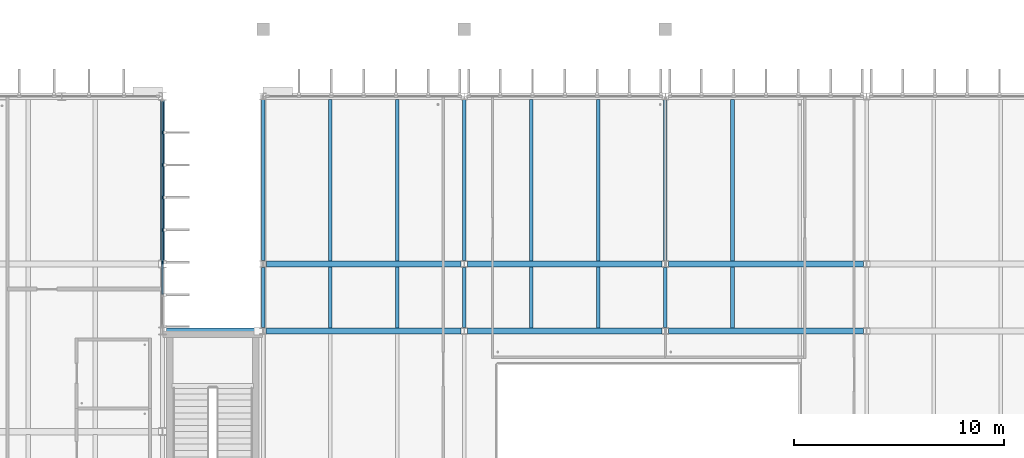
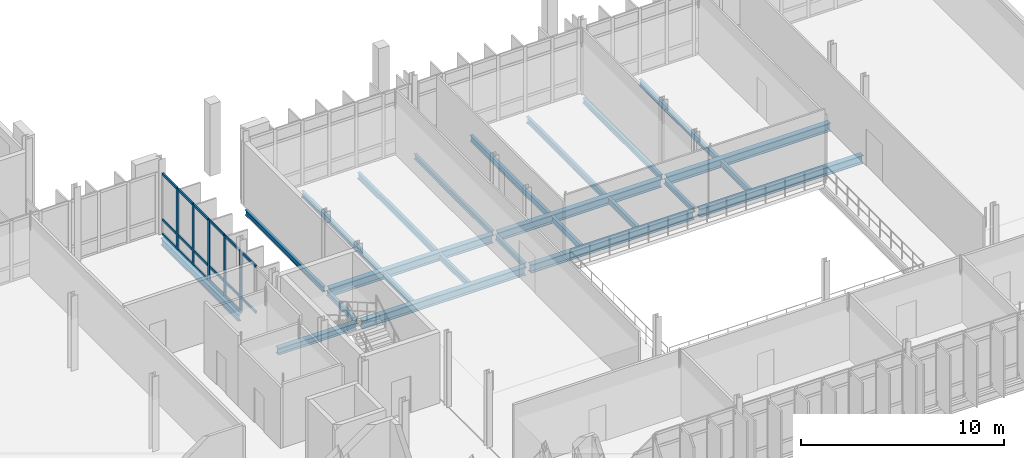
# One storey, part 23 of 110: 24 beams, 22 members, 1 element without a shape of its own.
"""IFC4 building model written with IfcOpenShell, lengths in metres."""

from ifc_helpers import new_model, si_unit, direction, frame, origin, origin_2d, place, context, subcontext, project, spatial, rectangle, i_section, extrude, material, material_profile, profile_set, type_object, element, aggregate, save


model = new_model("IFC4")

# Units and contexts
model_context = context("Model", 3, precision=1e-05, world=origin(), true_north=direction((0.0, 1.0)))
body_context = subcontext(model_context, "Body", "Model", "MODEL_VIEW")
ifc_project = project(units=[si_unit("LENGTHUNIT", "METRE"), si_unit("AREAUNIT", "SQUARE_METRE"), si_unit("VOLUMEUNIT", "CUBIC_METRE"), si_unit("PLANEANGLEUNIT", "RADIAN"), si_unit("MASSUNIT", "GRAM", prefix="KILO")], contexts=[model_context])

# Site, building, storey
site_placement = place(None, origin())
site = spatial("IfcSite", under=ifc_project, at=site_placement, CompositionType="ELEMENT")
building_placement = place(site_placement, origin())
building = spatial("IfcBuilding", under=site, at=building_placement, Name="Dunescarp Central Library", CompositionType="ELEMENT")
storey_placement = place(building_placement, frame((0.0, 0.0, 9.60009765625)))
storey = spatial("IfcBuildingStorey", under=building, at=storey_placement, Name="L02", CompositionType="ELEMENT", Elevation=9.60009765625)

# Curtain wall, members
ifc_material_1 = material(Name="Marine-grade anodised aluminium 6063-T6", Category="aluminium")
curtain_wall_type = type_object("IfcCurtainWallType", Name="ARC-CW-STICK", PredefinedType="NOTDEFINED", material=ifc_material_1)
curtain_wall_placement = place(storey_placement, origin())
curtain_wall = element("IfcCurtainWall", 1, at=curtain_wall_placement, inside=storey, type_object=curtain_wall_type, Name="L02 curtain wall CW-V1-017", PredefinedType="NOTDEFINED")
ifc_material_profile_1 = material_profile(ifc_material_1, rectangle(XDim=0.080078125, YDim=0.179931640625, at=origin_2d()), Name="AL 80x180")
ifc_profile_set_1 = profile_set([ifc_material_profile_1], Name="Marine-grade anodised aluminium 6063-T6")
member_type_1 = type_object("IfcMemberType", Name="ARC-CWM-180", PredefinedType="MULLION", material=ifc_profile_set_1)
member_1_placement = place(storey_placement, frame((33.60009765625, 35.074951171875, 0.0), z_axis=(0.0, 0.0, 1.0), x_axis=(1.0, 0.0, 0.0)))
member_1 = element("IfcMember", 2, at=member_1_placement, type_object=member_type_1, Name="CW-V1-017 mullion 2", PredefinedType="MULLION", context=body_context, shape_type="SweptSolid", body=[
    extrude(rectangle(XDim=0.080078125, YDim=0.179931640625, at=origin_2d()), origin(), (0.0, 0.0, 1.0), 3.684814453125),
])
member_2_placement = place(storey_placement, frame((33.60009765625, 33.52490234375, 0.0), z_axis=(0.0, 0.0, 1.0), x_axis=(1.0, 0.0, 0.0)))
member_2 = element("IfcMember", 3, at=member_2_placement, type_object=member_type_1, Name="CW-V1-017 mullion 3", PredefinedType="MULLION", context=body_context, shape_type="SweptSolid", body=[
    extrude(rectangle(XDim=0.080078125, YDim=0.179931640625, at=origin_2d()), origin(), (0.0, 0.0, 1.0), 3.684814453125),
])
member_3_placement = place(storey_placement, frame((33.60009765625, 31.97509765625, 0.0), z_axis=(0.0, 0.0, 1.0), x_axis=(1.0, 0.0, 0.0)))
member_3 = element("IfcMember", 4, at=member_3_placement, type_object=member_type_1, Name="CW-V1-017 mullion 4", PredefinedType="MULLION", context=body_context, shape_type="SweptSolid", body=[
    extrude(rectangle(XDim=0.080078125, YDim=0.179931640625, at=origin_2d()), origin(), (0.0, 0.0, 1.0), 3.684814453125),
])
member_4_placement = place(storey_placement, frame((33.60009765625, 30.425048828125, 0.0), z_axis=(0.0, 0.0, 1.0), x_axis=(1.0, 0.0, 0.0)))
member_4 = element("IfcMember", 5, at=member_4_placement, type_object=member_type_1, Name="CW-V1-017 mullion 5", PredefinedType="MULLION", context=body_context, shape_type="SweptSolid", body=[
    extrude(rectangle(XDim=0.080078125, YDim=0.179931640625, at=origin_2d()), origin(), (0.0, 0.0, 1.0), 3.684814453125),
])
member_5_placement = place(storey_placement, frame((33.60009765625, 28.875, 0.0), z_axis=(0.0, 0.0, 1.0), x_axis=(1.0, 0.0, 0.0)))
member_5 = element("IfcMember", 6, at=member_5_placement, type_object=member_type_1, Name="CW-V1-017 mullion 6", PredefinedType="MULLION", context=body_context, shape_type="SweptSolid", body=[
    extrude(rectangle(XDim=0.080078125, YDim=0.179931640625, at=origin_2d()), origin(), (0.0, 0.0, 1.0), 3.684814453125),
])
ifc_material_profile_2 = material_profile(ifc_material_1, rectangle(XDim=0.080078125, YDim=0.14990234375, at=origin_2d()), Name="AL 80x150")
ifc_profile_set_2 = profile_set([ifc_material_profile_2], Name="Marine-grade anodised aluminium 6063-T6")
member_type_2 = type_object("IfcMemberType", Name="ARC-CWT-150", PredefinedType="USERDEFINED", material=ifc_profile_set_2)
member_6_placement = place(storey_placement, frame((33.60009765625, 36.544921875, 0.039794921875), z_axis=(0.0, -1.0, 0.0), x_axis=(1.0, 0.0, 0.0)))
member_6 = element("IfcMember", 7, at=member_6_placement, type_object=member_type_2, Name="CW-V1-017 transom 1.1", ObjectType="TRANSOM", PredefinedType="USERDEFINED", context=body_context, shape_type="SweptSolid", body=[
    extrude(rectangle(XDim=0.080078125, YDim=0.14990234375, at=origin_2d()), origin(), (0.0, 0.0, 1.0), 1.429931640625),
])
member_7_placement = place(storey_placement, frame((33.60009765625, 36.544921875, 0.89990234375), z_axis=(0.0, -1.0, 0.0), x_axis=(1.0, 0.0, 0.0)))
member_7 = element("IfcMember", 8, at=member_7_placement, type_object=member_type_2, Name="CW-V1-017 transom 1.2", ObjectType="TRANSOM", PredefinedType="USERDEFINED", context=body_context, shape_type="SweptSolid", body=[
    extrude(rectangle(XDim=0.080078125, YDim=0.14990234375, at=origin_2d()), origin(), (0.0, 0.0, 1.0), 1.429931640625),
])
member_8_placement = place(storey_placement, frame((33.60009765625, 36.544921875, 3.64501953125), z_axis=(0.0, -1.0, 0.0), x_axis=(1.0, 0.0, 0.0)))
member_8 = element("IfcMember", 9, at=member_8_placement, type_object=member_type_2, Name="CW-V1-017 transom 1.3", ObjectType="TRANSOM", PredefinedType="USERDEFINED", context=body_context, shape_type="SweptSolid", body=[
    extrude(rectangle(XDim=0.080078125, YDim=0.14990234375, at=origin_2d()), origin(), (0.0, 0.0, 1.0), 1.429931640625),
])
member_9_placement = place(storey_placement, frame((33.60009765625, 35.034912109375, 0.039794921875), z_axis=(0.0, -1.0, 0.0), x_axis=(1.0, 0.0, 0.0)))
member_9 = element("IfcMember", 10, at=member_9_placement, type_object=member_type_2, Name="CW-V1-017 transom 2.1", ObjectType="TRANSOM", PredefinedType="USERDEFINED", context=body_context, shape_type="SweptSolid", body=[
    extrude(rectangle(XDim=0.080078125, YDim=0.14990234375, at=origin_2d()), origin(), (0.0, 0.0, 1.0), 1.469970703125),
])
member_10_placement = place(storey_placement, frame((33.60009765625, 35.034912109375, 0.89990234375), z_axis=(0.0, -1.0, 0.0), x_axis=(1.0, 0.0, 0.0)))
member_10 = element("IfcMember", 11, at=member_10_placement, type_object=member_type_2, Name="CW-V1-017 transom 2.2", ObjectType="TRANSOM", PredefinedType="USERDEFINED", context=body_context, shape_type="SweptSolid", body=[
    extrude(rectangle(XDim=0.080078125, YDim=0.14990234375, at=origin_2d()), origin(), (0.0, 0.0, 1.0), 1.469970703125),
])
member_11_placement = place(storey_placement, frame((33.60009765625, 35.034912109375, 3.64501953125), z_axis=(0.0, -1.0, 0.0), x_axis=(1.0, 0.0, 0.0)))
member_11 = element("IfcMember", 12, at=member_11_placement, type_object=member_type_2, Name="CW-V1-017 transom 2.3", ObjectType="TRANSOM", PredefinedType="USERDEFINED", context=body_context, shape_type="SweptSolid", body=[
    extrude(rectangle(XDim=0.080078125, YDim=0.14990234375, at=origin_2d()), origin(), (0.0, 0.0, 1.0), 1.469970703125),
])
member_12_placement = place(storey_placement, frame((33.60009765625, 33.485107421875, 0.039794921875), z_axis=(0.0, -1.0, 0.0), x_axis=(1.0, 0.0, 0.0)))
member_12 = element("IfcMember", 13, at=member_12_placement, type_object=member_type_2, Name="CW-V1-017 transom 3.1", ObjectType="TRANSOM", PredefinedType="USERDEFINED", context=body_context, shape_type="SweptSolid", body=[
    extrude(rectangle(XDim=0.080078125, YDim=0.14990234375, at=origin_2d()), origin(), (0.0, 0.0, 1.0), 1.47021484375),
])
member_13_placement = place(storey_placement, frame((33.60009765625, 33.485107421875, 0.89990234375), z_axis=(0.0, -1.0, 0.0), x_axis=(1.0, 0.0, 0.0)))
member_13 = element("IfcMember", 14, at=member_13_placement, type_object=member_type_2, Name="CW-V1-017 transom 3.2", ObjectType="TRANSOM", PredefinedType="USERDEFINED", context=body_context, shape_type="SweptSolid", body=[
    extrude(rectangle(XDim=0.080078125, YDim=0.14990234375, at=origin_2d()), origin(), (0.0, 0.0, 1.0), 1.47021484375),
])
member_14_placement = place(storey_placement, frame((33.60009765625, 33.485107421875, 3.64501953125), z_axis=(0.0, -1.0, 0.0), x_axis=(1.0, 0.0, 0.0)))
member_14 = element("IfcMember", 15, at=member_14_placement, type_object=member_type_2, Name="CW-V1-017 transom 3.3", ObjectType="TRANSOM", PredefinedType="USERDEFINED", context=body_context, shape_type="SweptSolid", body=[
    extrude(rectangle(XDim=0.080078125, YDim=0.14990234375, at=origin_2d()), origin(), (0.0, 0.0, 1.0), 1.47021484375),
])
member_15_placement = place(storey_placement, frame((33.60009765625, 31.93505859375, 0.039794921875), z_axis=(0.0, -1.0, 0.0), x_axis=(1.0, 0.0, 0.0)))
member_15 = element("IfcMember", 16, at=member_15_placement, type_object=member_type_2, Name="CW-V1-017 transom 4.1", ObjectType="TRANSOM", PredefinedType="USERDEFINED", context=body_context, shape_type="SweptSolid", body=[
    extrude(rectangle(XDim=0.080078125, YDim=0.14990234375, at=origin_2d()), origin(), (0.0, 0.0, 1.0), 1.469970703125),
])
member_16_placement = place(storey_placement, frame((33.60009765625, 31.93505859375, 0.89990234375), z_axis=(0.0, -1.0, 0.0), x_axis=(1.0, 0.0, 0.0)))
member_16 = element("IfcMember", 17, at=member_16_placement, type_object=member_type_2, Name="CW-V1-017 transom 4.2", ObjectType="TRANSOM", PredefinedType="USERDEFINED", context=body_context, shape_type="SweptSolid", body=[
    extrude(rectangle(XDim=0.080078125, YDim=0.14990234375, at=origin_2d()), origin(), (0.0, 0.0, 1.0), 1.469970703125),
])
member_17_placement = place(storey_placement, frame((33.60009765625, 31.93505859375, 3.64501953125), z_axis=(0.0, -1.0, 0.0), x_axis=(1.0, 0.0, 0.0)))
member_17 = element("IfcMember", 18, at=member_17_placement, type_object=member_type_2, Name="CW-V1-017 transom 4.3", ObjectType="TRANSOM", PredefinedType="USERDEFINED", context=body_context, shape_type="SweptSolid", body=[
    extrude(rectangle(XDim=0.080078125, YDim=0.14990234375, at=origin_2d()), origin(), (0.0, 0.0, 1.0), 1.469970703125),
])
member_18_placement = place(storey_placement, frame((33.60009765625, 30.385009765625, 0.039794921875), z_axis=(0.0, -1.0, 0.0), x_axis=(1.0, 0.0, 0.0)))
member_18 = element("IfcMember", 19, at=member_18_placement, type_object=member_type_2, Name="CW-V1-017 transom 5.1", ObjectType="TRANSOM", PredefinedType="USERDEFINED", context=body_context, shape_type="SweptSolid", body=[
    extrude(rectangle(XDim=0.080078125, YDim=0.14990234375, at=origin_2d()), origin(), (0.0, 0.0, 1.0), 1.469970703125),
])
member_19_placement = place(storey_placement, frame((33.60009765625, 30.385009765625, 0.89990234375), z_axis=(0.0, -1.0, 0.0), x_axis=(1.0, 0.0, 0.0)))
member_19 = element("IfcMember", 20, at=member_19_placement, type_object=member_type_2, Name="CW-V1-017 transom 5.2", ObjectType="TRANSOM", PredefinedType="USERDEFINED", context=body_context, shape_type="SweptSolid", body=[
    extrude(rectangle(XDim=0.080078125, YDim=0.14990234375, at=origin_2d()), origin(), (0.0, 0.0, 1.0), 1.469970703125),
])
member_20_placement = place(storey_placement, frame((33.60009765625, 30.385009765625, 3.64501953125), z_axis=(0.0, -1.0, 0.0), x_axis=(1.0, 0.0, 0.0)))
member_20 = element("IfcMember", 21, at=member_20_placement, type_object=member_type_2, Name="CW-V1-017 transom 5.3", ObjectType="TRANSOM", PredefinedType="USERDEFINED", context=body_context, shape_type="SweptSolid", body=[
    extrude(rectangle(XDim=0.080078125, YDim=0.14990234375, at=origin_2d()), origin(), (0.0, 0.0, 1.0), 1.469970703125),
])
member_21_placement = place(storey_placement, frame((33.60009765625, 28.8349609375, 0.89990234375), z_axis=(0.0, -1.0, 0.0), x_axis=(1.0, 0.0, 0.0)))
member_21 = element("IfcMember", 22, at=member_21_placement, type_object=member_type_2, Name="CW-V1-017 transom 6.2", ObjectType="TRANSOM", PredefinedType="USERDEFINED", context=body_context, shape_type="SweptSolid", body=[
    extrude(rectangle(XDim=0.080078125, YDim=0.14990234375, at=origin_2d()), origin(), (0.0, 0.0, 1.0), 1.469970703125),
])
member_22_placement = place(storey_placement, frame((33.60009765625, 28.8349609375, 3.64501953125), z_axis=(0.0, -1.0, 0.0), x_axis=(1.0, 0.0, 0.0)))
member_22 = element("IfcMember", 23, at=member_22_placement, type_object=member_type_2, Name="CW-V1-017 transom 6.3", ObjectType="TRANSOM", PredefinedType="USERDEFINED", context=body_context, shape_type="SweptSolid", body=[
    extrude(rectangle(XDim=0.080078125, YDim=0.14990234375, at=origin_2d()), origin(), (0.0, 0.0, 1.0), 1.469970703125),
])
aggregate(curtain_wall, [member_1, member_2, member_3, member_4, member_5, member_6, member_7, member_8, member_9, member_10, member_11, member_12, member_13, member_14, member_15, member_16, member_17, member_18, member_19, member_20, member_21, member_22])

# Beams
ifc_material_2 = material(Name="Steel S355JR", Category="steel")
ifc_material_profile_3 = material_profile(ifc_material_2, i_section(OverallWidth=0.300048828125, OverallDepth=0.389892578125, WebThickness=0.010986328125, FlangeThickness=0.01904296875, at=origin_2d()), Name="HEA 400")
ifc_profile_set_3 = profile_set([ifc_material_profile_3], Name="Steel S355JR")
beam_type_1 = type_object("IfcBeamType", Name="STR-BM-HEA400", PredefinedType="BEAM", material=ifc_profile_set_3)
beam_1_placement = place(storey_placement, frame((33.783935546875, 25.60009765625, -0.405029296875), z_axis=(1.0, 0.0, 0.0), x_axis=(0.0, 1.0, 0.0)))
element("IfcBeam", 24, at=beam_1_placement, inside=storey, type_object=beam_type_1, Name="L02 girder BM-L02-1222", PredefinedType="BEAM", context=body_context, shape_type="SweptSolid", body=[
    extrude(i_section(OverallWidth=0.300048828125, OverallDepth=0.389892578125, WebThickness=0.010986328125, FlangeThickness=0.01904296875, at=origin_2d()), origin(), (0.0, 0.0, 1.0), 4.464111328125),
])
ifc_material_profile_4 = material_profile(ifc_material_2, i_section(OverallWidth=0.300048828125, OverallDepth=0.5, WebThickness=0.014404296875, FlangeThickness=0.028076171875, at=origin_2d()), Name="HEB 500")
ifc_profile_set_4 = profile_set([ifc_material_profile_4], Name="Steel S355JR")
beam_type_2 = type_object("IfcBeamType", Name="STR-BM-HEB500", PredefinedType="BEAM", material=ifc_profile_set_4)
beam_2_placement = place(storey_placement, frame((38.552001953125, 25.60009765625, -0.460205078125), z_axis=(1.0, 0.0, 0.0), x_axis=(0.0, 1.0, 0.0)))
element("IfcBeam", 25, at=beam_2_placement, inside=storey, type_object=beam_type_2, Name="L02 girder BM-L02-0409", PredefinedType="BEAM", context=body_context, shape_type="SweptSolid", body=[
    extrude(i_section(OverallWidth=0.300048828125, OverallDepth=0.5, WebThickness=0.014404296875, FlangeThickness=0.028076171875, at=origin_2d()), origin(), (0.0, 0.0, 1.0), 9.2958984375),
])
beam_3_placement = place(storey_placement, frame((38.552978515625, 28.800048828125, -0.460205078125), z_axis=(1.0, 0.0, 0.0), x_axis=(0.0, 1.0, 0.0)))
element("IfcBeam", 26, at=beam_3_placement, inside=storey, type_object=beam_type_2, Name="L02 girder BM-L02-0414", PredefinedType="BEAM", context=body_context, shape_type="SweptSolid", body=[
    extrude(i_section(OverallWidth=0.300048828125, OverallDepth=0.5, WebThickness=0.014404296875, FlangeThickness=0.028076171875, at=origin_2d()), origin(), (0.0, 0.0, 1.0), 9.2939453125),
])
beam_4_placement = place(storey_placement, frame((48.152099609375, 25.60009765625, -0.460205078125), z_axis=(1.0, 0.0, 0.0), x_axis=(0.0, 1.0, 0.0)))
element("IfcBeam", 27, at=beam_4_placement, inside=storey, type_object=beam_type_2, Name="L02 girder BM-L02-0429", PredefinedType="BEAM", context=body_context, shape_type="SweptSolid", body=[
    extrude(i_section(OverallWidth=0.300048828125, OverallDepth=0.5, WebThickness=0.014404296875, FlangeThickness=0.028076171875, at=origin_2d()), origin(), (0.0, 0.0, 1.0), 9.2958984375),
])
beam_5_placement = place(storey_placement, frame((48.153076171875, 28.800048828125, -0.460205078125), z_axis=(1.0, 0.0, 0.0), x_axis=(0.0, 1.0, 0.0)))
element("IfcBeam", 28, at=beam_5_placement, inside=storey, type_object=beam_type_2, Name="L02 girder BM-L02-0430", PredefinedType="BEAM", context=body_context, shape_type="SweptSolid", body=[
    extrude(i_section(OverallWidth=0.300048828125, OverallDepth=0.5, WebThickness=0.014404296875, FlangeThickness=0.028076171875, at=origin_2d()), origin(), (0.0, 0.0, 1.0), 9.2939453125),
])
beam_6_placement = place(storey_placement, frame((57.751953125, 25.60009765625, -0.460205078125), z_axis=(1.0, 0.0, 0.0), x_axis=(0.0, 1.0, 0.0)))
element("IfcBeam", 29, at=beam_6_placement, inside=storey, type_object=beam_type_2, Name="L02 girder BM-L02-0443", PredefinedType="BEAM", context=body_context, shape_type="SweptSolid", body=[
    extrude(i_section(OverallWidth=0.300048828125, OverallDepth=0.5, WebThickness=0.014404296875, FlangeThickness=0.028076171875, at=origin_2d()), origin(), (0.0, 0.0, 1.0), 9.296142578125),
])
beam_7_placement = place(storey_placement, frame((57.7529296875, 28.800048828125, -0.460205078125), z_axis=(1.0, 0.0, 0.0), x_axis=(0.0, 1.0, 0.0)))
element("IfcBeam", 30, at=beam_7_placement, inside=storey, type_object=beam_type_2, Name="L02 girder BM-L02-0446", PredefinedType="BEAM", context=body_context, shape_type="SweptSolid", body=[
    extrude(i_section(OverallWidth=0.300048828125, OverallDepth=0.5, WebThickness=0.014404296875, FlangeThickness=0.028076171875, at=origin_2d()), origin(), (0.0, 0.0, 1.0), 9.294189453125),
])
ifc_material_profile_5 = material_profile(ifc_material_2, i_section(OverallWidth=0.1669921875, OverallDepth=0.310302734375, WebThickness=0.0078125, FlangeThickness=0.013671875, at=origin_2d()), Name="UB 305x165x54")
ifc_profile_set_5 = profile_set([ifc_material_profile_5], Name="Steel S355JR")
beam_type_3 = type_object("IfcBeamType", Name="STR-BM-UB305X54", PredefinedType="BEAM", material=ifc_profile_set_5)
for number, where, z_axis, x_axis, name in (
    (31, (38.39990234375, 25.757080078125, -0.364990234375), (0.0, 1.0, 0.0), (-1.0, 0.0, 0.0), "L02 girder BM-L02-0415"),
    (32, (48.0, 25.757080078125, -0.364990234375), (0.0, 1.0, 0.0), (-1.0, 0.0, 0.0), "L02 girder BM-L02-0416"),
):
    element("IfcBeam", number, at=place(storey_placement, frame(where, z_axis=z_axis, x_axis=x_axis)), inside=storey, type_object=beam_type_3, Name=name, PredefinedType="BEAM", context=body_context, shape_type="SweptSolid", body=[
        extrude(i_section(OverallWidth=0.1669921875, OverallDepth=0.310302734375, WebThickness=0.0078125, FlangeThickness=0.013671875, at=origin_2d()), origin(), (0.0, 0.0, 1.0), 2.8818359375),
    ])
for number, where, z_axis, x_axis, name in (
    (33, (38.39990234375, 28.9609375, -0.364990234375), (0.0, 1.0, 0.0), (-1.0, 0.0, 0.0), "L02 girder BM-L02-0420"),
    (34, (48.0, 28.9609375, -0.364990234375), (0.0, 1.0, 0.0), (-1.0, 0.0, 0.0), "L02 girder BM-L02-0421"),
):
    element("IfcBeam", number, at=place(storey_placement, frame(where, z_axis=z_axis, x_axis=x_axis)), inside=storey, type_object=beam_type_3, Name=name, PredefinedType="BEAM", context=body_context, shape_type="SweptSolid", body=[
        extrude(i_section(OverallWidth=0.1669921875, OverallDepth=0.310302734375, WebThickness=0.0078125, FlangeThickness=0.013671875, at=origin_2d()), origin(), (0.0, 0.0, 1.0), 7.68212890625),
    ])
beam_8_placement = place(storey_placement, frame((57.60009765625, 25.757080078125, -0.364990234375), z_axis=(0.0, 1.0, 0.0), x_axis=(-1.0, 0.0, 0.0)))
element("IfcBeam", 35, at=beam_8_placement, inside=storey, type_object=beam_type_3, Name="L02 girder BM-L02-0431", PredefinedType="BEAM", context=body_context, shape_type="SweptSolid", body=[
    extrude(i_section(OverallWidth=0.1669921875, OverallDepth=0.310302734375, WebThickness=0.0078125, FlangeThickness=0.013671875, at=origin_2d()), origin(), (0.0, 0.0, 1.0), 2.8818359375),
])
beam_9_placement = place(storey_placement, frame((57.60009765625, 28.9609375, -0.364990234375), z_axis=(0.0, 1.0, 0.0), x_axis=(-1.0, 0.0, 0.0)))
element("IfcBeam", 36, at=beam_9_placement, inside=storey, type_object=beam_type_3, Name="L02 girder BM-L02-0435", PredefinedType="BEAM", context=body_context, shape_type="SweptSolid", body=[
    extrude(i_section(OverallWidth=0.1669921875, OverallDepth=0.310302734375, WebThickness=0.0078125, FlangeThickness=0.013671875, at=origin_2d()), origin(), (0.0, 0.0, 1.0), 7.68212890625),
])
ifc_material_profile_6 = material_profile(ifc_material_2, i_section(OverallWidth=0.179443359375, OverallDepth=0.412841796875, WebThickness=0.009521484375, FlangeThickness=0.01611328125, at=origin_2d()), Name="UB 406x178x74")
ifc_profile_set_6 = profile_set([ifc_material_profile_6], Name="Steel S355JR")
beam_type_4 = type_object("IfcBeamType", Name="STR-BM-UB406", PredefinedType="BEAM", material=ifc_profile_set_6)
beam_10_placement = place(storey_placement, frame((33.60009765625, 28.98388671875, -0.416015625), z_axis=(0.0, 1.0, 0.0), x_axis=(-1.0, 0.0, 0.0)))
element("IfcBeam", 37, at=beam_10_placement, inside=storey, type_object=beam_type_4, Name="L02 girder BM-L02-0108", PredefinedType="BEAM", context=body_context, shape_type="SweptSolid", body=[
    extrude(i_section(OverallWidth=0.179443359375, OverallDepth=0.412841796875, WebThickness=0.009521484375, FlangeThickness=0.01611328125, at=origin_2d()), origin(), (0.0, 0.0, 1.0), 7.635009765625),
])
ifc_material_profile_7 = material_profile(ifc_material_2, i_section(OverallWidth=0.169921875, OverallDepth=0.360107421875, WebThickness=0.008056640625, FlangeThickness=0.0126953125, at=origin_2d()), Name="IPE 360")
ifc_profile_set_7 = profile_set([ifc_material_profile_7], Name="Steel S355JR")
beam_type_5 = type_object("IfcBeamType", Name="STR-JS-IPE360", PredefinedType="JOIST", material=ifc_profile_set_7)
for number, where, z_axis, x_axis, name in (
    (38, (41.60009765625, 25.748046875, -0.39013671875), (0.0, 1.0, 0.0), (-1.0, 0.0, 0.0), "L02 joist JS-L02-0417"),
    (39, (44.800048828125, 25.748046875, -0.39013671875), (0.0, 1.0, 0.0), (-1.0, 0.0, 0.0), "L02 joist JS-L02-0418"),
):
    element("IfcBeam", number, at=place(storey_placement, frame(where, z_axis=z_axis, x_axis=x_axis)), inside=storey, type_object=beam_type_5, Name=name, PredefinedType="JOIST", context=body_context, shape_type="SweptSolid", body=[
        extrude(i_section(OverallWidth=0.169921875, OverallDepth=0.360107421875, WebThickness=0.008056640625, FlangeThickness=0.0126953125, at=origin_2d()), origin(), (0.0, 0.0, 1.0), 2.904052734375),
    ])
for number, where, z_axis, x_axis, name in (
    (40, (41.60009765625, 28.947998046875, -0.39013671875), (0.0, 1.0, 0.0), (-1.0, 0.0, 0.0), "L02 joist JS-L02-0422"),
    (41, (44.800048828125, 28.947998046875, -0.39013671875), (0.0, 1.0, 0.0), (-1.0, 0.0, 0.0), "L02 joist JS-L02-0423"),
):
    element("IfcBeam", number, at=place(storey_placement, frame(where, z_axis=z_axis, x_axis=x_axis)), inside=storey, type_object=beam_type_5, Name=name, PredefinedType="JOIST", context=body_context, shape_type="SweptSolid", body=[
        extrude(i_section(OverallWidth=0.169921875, OverallDepth=0.360107421875, WebThickness=0.008056640625, FlangeThickness=0.0126953125, at=origin_2d()), origin(), (0.0, 0.0, 1.0), 7.7041015625),
    ])
for number, where, z_axis, x_axis, name in (
    (42, (51.199951171875, 25.748046875, -0.39013671875), (0.0, 1.0, 0.0), (-1.0, 0.0, 0.0), "L02 joist JS-L02-0432"),
    (43, (54.39990234375, 25.748046875, -0.39013671875), (0.0, 1.0, 0.0), (-1.0, 0.0, 0.0), "L02 joist JS-L02-0433"),
):
    element("IfcBeam", number, at=place(storey_placement, frame(where, z_axis=z_axis, x_axis=x_axis)), inside=storey, type_object=beam_type_5, Name=name, PredefinedType="JOIST", context=body_context, shape_type="SweptSolid", body=[
        extrude(i_section(OverallWidth=0.169921875, OverallDepth=0.360107421875, WebThickness=0.008056640625, FlangeThickness=0.0126953125, at=origin_2d()), origin(), (0.0, 0.0, 1.0), 2.904052734375),
    ])
for number, where, z_axis, x_axis, name in (
    (44, (51.199951171875, 28.947998046875, -0.39013671875), (0.0, 1.0, 0.0), (-1.0, 0.0, 0.0), "L02 joist JS-L02-0436"),
    (45, (54.39990234375, 28.947998046875, -0.39013671875), (0.0, 1.0, 0.0), (-1.0, 0.0, 0.0), "L02 joist JS-L02-0437"),
):
    element("IfcBeam", number, at=place(storey_placement, frame(where, z_axis=z_axis, x_axis=x_axis)), inside=storey, type_object=beam_type_5, Name=name, PredefinedType="JOIST", context=body_context, shape_type="SweptSolid", body=[
        extrude(i_section(OverallWidth=0.169921875, OverallDepth=0.360107421875, WebThickness=0.008056640625, FlangeThickness=0.0126953125, at=origin_2d()), origin(), (0.0, 0.0, 1.0), 7.7041015625),
    ])
beam_11_placement = place(storey_placement, frame((60.800048828125, 25.748046875, -0.39013671875), z_axis=(0.0, 1.0, 0.0), x_axis=(-1.0, 0.0, 0.0)))
element("IfcBeam", 46, at=beam_11_placement, inside=storey, type_object=beam_type_5, Name="L02 joist JS-L02-0448", PredefinedType="JOIST", context=body_context, shape_type="SweptSolid", body=[
    extrude(i_section(OverallWidth=0.169921875, OverallDepth=0.360107421875, WebThickness=0.008056640625, FlangeThickness=0.0126953125, at=origin_2d()), origin(), (0.0, 0.0, 1.0), 2.904052734375),
])
beam_12_placement = place(storey_placement, frame((60.800048828125, 28.947998046875, -0.39013671875), z_axis=(0.0, 1.0, 0.0), x_axis=(-1.0, 0.0, 0.0)))
element("IfcBeam", 47, at=beam_12_placement, inside=storey, type_object=beam_type_5, Name="L02 joist JS-L02-0452", PredefinedType="JOIST", context=body_context, shape_type="SweptSolid", body=[
    extrude(i_section(OverallWidth=0.169921875, OverallDepth=0.360107421875, WebThickness=0.008056640625, FlangeThickness=0.0126953125, at=origin_2d()), origin(), (0.0, 0.0, 1.0), 7.7041015625),
])

save(model, "model.ifc")
